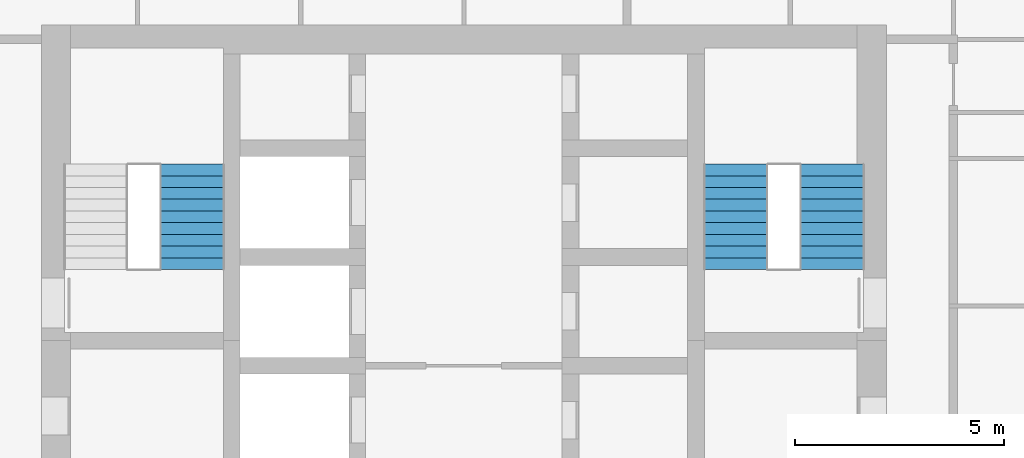
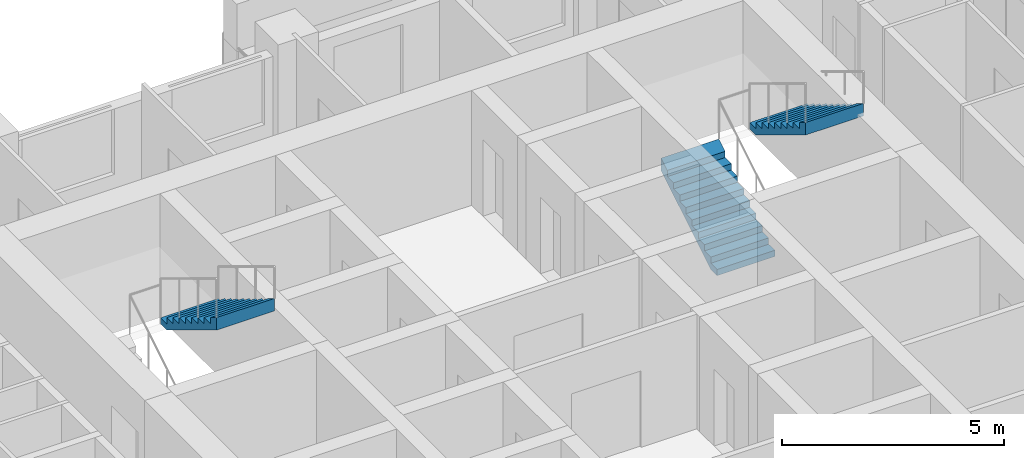
# One storey, part 16 of 19: 3 stair flights, 2 elements without a shape of their own.
"""IFC4 building model written with IfcOpenShell, lengths in metres."""

from ifc_helpers import new_model, si_unit, direction, frame, origin, place, context, subcontext, project, spatial, triangles, material, type_object, element, aggregate, save


model = new_model("IFC4")

# Units and contexts
model_context = context("Model", 3, precision=1e-05, world=origin(), true_north=direction((0.0, 1.0)))
body_context = subcontext(model_context, "Body", "Model", "MODEL_VIEW")
ifc_project = project(units=[si_unit("LENGTHUNIT", "METRE"), si_unit("AREAUNIT", "SQUARE_METRE"), si_unit("VOLUMEUNIT", "CUBIC_METRE"), si_unit("PLANEANGLEUNIT", "RADIAN"), si_unit("MASSUNIT", "GRAM", prefix="KILO")], contexts=[model_context])

# Site, building, storey
site_placement = place(None, origin())
site = spatial("IfcSite", under=ifc_project, at=site_placement, CompositionType="ELEMENT")
building_placement = place(site_placement, origin())
building = spatial("IfcBuilding", under=site, at=building_placement, Name="Ludao Terraces", CompositionType="ELEMENT")
storey_placement = place(building_placement, frame((0.0, 0.0, 36.5)))
storey = spatial("IfcBuildingStorey", under=building, at=storey_placement, Name="L09", CompositionType="ELEMENT", Elevation=36.5)

# Stair, stair flight
ifc_material = material(Name="Concrete C40", Category="concrete")
stair_type = type_object("IfcStairType", Name="INT Stair", PredefinedType="HALF_TURN_STAIR", material=ifc_material)
stair_1_placement = place(storey_placement, origin())
stair_1 = element("IfcStair", 1, at=stair_1_placement, inside=storey, type_object=stair_type, Name="EXIT STAIR 1", PredefinedType="HALF_TURN_STAIR")
stair_flight_type = type_object("IfcStairFlightType", Name="INT Stair flight", PredefinedType="STRAIGHT", material=ifc_material)
stair_flight_1_placement = place(storey_placement, frame((78.5, 81.52001953125, 1.699951171875), z_axis=(0.0, 0.0, 1.0), x_axis=(0.0, -1.0, 0.0)))
stair_flight_1 = element("IfcStairFlight", 2, at=stair_flight_1_placement, type_object=stair_flight_type, Name="ST1 flight 2", NumberOfRisers=10, NumberOfTreads=9, PredefinedType="STRAIGHT", RiserHeight=0.17, TreadLength=0.28, context=body_context, shape_type="Tessellation", body=[
    triangles([(0.0, -0.75, 0.0), (0.0, -0.5, 0.0), (0.0, -0.25, 0.0), (0.0, 0.0, 0.0), (0.0, 0.25, 0.0), (0.0, 0.5, 0.0), (0.0, 0.75, 0.0), (0.0, -0.75, 0.169921875), (0.0, -0.5, 0.169921875), (0.0, -0.25, 0.169921875), (0.0, 0.0, 0.169921875), (0.0, 0.25, 0.169921875), (0.0, 0.5, 0.169921875), (0.0, 0.75, 0.169921875), (0.280029296875, -0.75, 0.169921875), (0.280029296875, -0.5, 0.169921875), (0.280029296875, -0.25, 0.169921875), (0.280029296875, 0.0, 0.169921875), (0.280029296875, 0.25, 0.169921875), (0.280029296875, 0.5, 0.169921875), (0.280029296875, 0.75, 0.169921875), (0.280029296875, -0.75, 0.340087890625), (0.280029296875, -0.5, 0.340087890625), (0.280029296875, -0.25, 0.340087890625), (0.280029296875, 0.0, 0.340087890625), (0.280029296875, 0.25, 0.340087890625), (0.280029296875, 0.5, 0.340087890625), (0.280029296875, 0.75, 0.340087890625), (0.56005859375, -0.75, 0.340087890625), (0.56005859375, -0.5, 0.340087890625), (0.56005859375, -0.25, 0.340087890625), (0.56005859375, 0.0, 0.340087890625), (0.56005859375, 0.25, 0.340087890625), (0.56005859375, 0.5, 0.340087890625), (0.56005859375, 0.75, 0.340087890625), (0.56005859375, -0.75, 0.510009765625), (0.56005859375, -0.5, 0.510009765625), (0.56005859375, -0.25, 0.510009765625), (0.56005859375, 0.0, 0.510009765625), (0.56005859375, 0.25, 0.510009765625), (0.56005859375, 0.5, 0.510009765625), (0.56005859375, 0.75, 0.510009765625), (0.840087890625, -0.75, 0.510009765625), (0.840087890625, -0.5, 0.510009765625), (0.840087890625, -0.25, 0.510009765625), (0.840087890625, 0.0, 0.510009765625), (0.840087890625, 0.25, 0.510009765625), (0.840087890625, 0.5, 0.510009765625), (0.840087890625, 0.75, 0.510009765625), (0.840087890625, -0.75, 0.679931640625), (0.840087890625, -0.5, 0.679931640625), (0.840087890625, -0.25, 0.679931640625), (0.840087890625, 0.0, 0.679931640625), (0.840087890625, 0.25, 0.679931640625), (0.840087890625, 0.5, 0.679931640625), (0.840087890625, 0.75, 0.679931640625), (1.1201171875, -0.75, 0.679931640625), (1.1201171875, -0.5, 0.679931640625), (1.1201171875, -0.25, 0.679931640625), (1.1201171875, 0.0, 0.679931640625), (1.1201171875, 0.25, 0.679931640625), (1.1201171875, 0.5, 0.679931640625), (1.1201171875, 0.75, 0.679931640625), (1.1201171875, -0.75, 0.85009765625), (1.1201171875, -0.5, 0.85009765625), (1.1201171875, -0.25, 0.85009765625), (1.1201171875, 0.0, 0.85009765625), (1.1201171875, 0.25, 0.85009765625), (1.1201171875, 0.5, 0.85009765625), (1.1201171875, 0.75, 0.85009765625), (1.39990234375, -0.75, 0.85009765625), (1.39990234375, -0.5, 0.85009765625), (1.39990234375, -0.25, 0.85009765625), (1.39990234375, 0.0, 0.85009765625), (1.39990234375, 0.25, 0.85009765625), (1.39990234375, 0.5, 0.85009765625), (1.39990234375, 0.75, 0.85009765625), (1.39990234375, -0.75, 1.02001953125), (1.39990234375, -0.5, 1.02001953125), (1.39990234375, -0.25, 1.02001953125), (1.39990234375, 0.0, 1.02001953125), (1.39990234375, 0.25, 1.02001953125), (1.39990234375, 0.5, 1.02001953125), (1.39990234375, 0.75, 1.02001953125), (1.679931640625, -0.75, 1.02001953125), (1.679931640625, -0.5, 1.02001953125), (1.679931640625, -0.25, 1.02001953125), (1.679931640625, 0.0, 1.02001953125), (1.679931640625, 0.25, 1.02001953125), (1.679931640625, 0.5, 1.02001953125), (1.679931640625, 0.75, 1.02001953125), (1.679931640625, -0.75, 1.18994140625), (1.679931640625, -0.5, 1.18994140625), (1.679931640625, -0.25, 1.18994140625), (1.679931640625, 0.0, 1.18994140625), (1.679931640625, 0.25, 1.18994140625), (1.679931640625, 0.5, 1.18994140625), (1.679931640625, 0.75, 1.18994140625), (1.9599609375, -0.75, 1.18994140625), (1.9599609375, -0.5, 1.18994140625), (1.9599609375, -0.25, 1.18994140625), (1.9599609375, 0.0, 1.18994140625), (1.9599609375, 0.25, 1.18994140625), (1.9599609375, 0.5, 1.18994140625), (1.9599609375, 0.75, 1.18994140625), (1.9599609375, -0.75, 1.360107421875), (1.9599609375, -0.5, 1.360107421875), (1.9599609375, -0.25, 1.360107421875), (1.9599609375, 0.0, 1.360107421875), (1.9599609375, 0.25, 1.360107421875), (1.9599609375, 0.5, 1.360107421875), (1.9599609375, 0.75, 1.360107421875), (2.239990234375, -0.75, 1.360107421875), (2.239990234375, -0.5, 1.360107421875), (2.239990234375, -0.25, 1.360107421875), (2.239990234375, 0.0, 1.360107421875), (2.239990234375, 0.25, 1.360107421875), (2.239990234375, 0.5, 1.360107421875), (2.239990234375, 0.75, 1.360107421875), (2.239990234375, -0.75, 1.530029296875), (2.239990234375, -0.5, 1.530029296875), (2.239990234375, -0.25, 1.530029296875), (2.239990234375, 0.0, 1.530029296875), (2.239990234375, 0.25, 1.530029296875), (2.239990234375, 0.5, 1.530029296875), (2.239990234375, 0.75, 1.530029296875), (2.52001953125, -0.75, 1.699951171875), (2.52001953125, -0.5, 1.699951171875), (2.52001953125, -0.25, 1.699951171875), (2.52001953125, 0.0, 1.699951171875), (2.52001953125, 0.25, 1.699951171875), (2.52001953125, 0.5, 1.699951171875), (2.52001953125, 0.75, 1.699951171875), (2.52001953125, -0.75, 1.354736328125), (2.52001953125, -0.5, 1.354736328125), (2.52001953125, -0.25, 1.354736328125), (2.52001953125, 0.0, 1.354736328125), (2.52001953125, 0.25, 1.354736328125), (2.52001953125, 0.5, 1.354736328125), (2.52001953125, 0.75, 1.354736328125), (0.288818359375, -0.75, 0.0), (0.288818359375, -0.5, 0.0), (0.288818359375, -0.25, 0.0), (0.288818359375, 0.0, 0.0), (0.288818359375, 0.25, 0.0), (0.288818359375, 0.5, 0.0), (0.288818359375, 0.75, 0.0)], [[1, 141, 134], [7, 140, 147], [134, 127, 120], [140, 126, 133], [134, 120, 113], [140, 119, 126], [134, 113, 106], [140, 112, 119], [134, 106, 99], [140, 105, 112], [99, 92, 85], [105, 91, 98], [134, 99, 85], [140, 91, 105], [85, 78, 71], [91, 77, 84], [134, 85, 71], [140, 77, 91], [71, 64, 57], [77, 63, 70], [134, 71, 57], [140, 63, 77], [57, 50, 43], [63, 49, 56], [134, 57, 43], [140, 49, 63], [43, 36, 29], [49, 35, 42], [134, 43, 29], [140, 35, 49], [29, 22, 15], [35, 21, 28], [134, 29, 15], [140, 21, 35], [1, 134, 15], [7, 21, 140], [15, 8, 1], [21, 7, 14], [1, 9, 2], [1, 8, 9], [2, 10, 3], [2, 9, 10], [3, 11, 4], [3, 10, 11], [4, 12, 5], [4, 11, 12], [5, 13, 6], [5, 12, 13], [6, 14, 7], [6, 13, 14], [8, 16, 9], [8, 15, 16], [9, 17, 10], [9, 16, 17], [10, 18, 11], [10, 17, 18], [11, 19, 12], [11, 18, 19], [12, 20, 13], [12, 19, 20], [13, 21, 14], [13, 20, 21], [15, 23, 16], [15, 22, 23], [16, 24, 17], [16, 23, 24], [17, 25, 18], [17, 24, 25], [18, 26, 19], [18, 25, 26], [19, 27, 20], [19, 26, 27], [20, 28, 21], [20, 27, 28], [22, 30, 23], [22, 29, 30], [23, 31, 24], [23, 30, 31], [24, 32, 25], [24, 31, 32], [25, 33, 26], [25, 32, 33], [26, 34, 27], [26, 33, 34], [27, 35, 28], [27, 34, 35], [29, 37, 30], [29, 36, 37], [30, 38, 31], [30, 37, 38], [31, 39, 32], [31, 38, 39], [32, 40, 33], [32, 39, 40], [33, 41, 34], [33, 40, 41], [34, 42, 35], [34, 41, 42], [36, 44, 37], [36, 43, 44], [37, 45, 38], [37, 44, 45], [38, 46, 39], [38, 45, 46], [39, 47, 40], [39, 46, 47], [40, 48, 41], [40, 47, 48], [41, 49, 42], [41, 48, 49], [43, 51, 44], [43, 50, 51], [44, 52, 45], [44, 51, 52], [45, 53, 46], [45, 52, 53], [46, 54, 47], [46, 53, 54], [47, 55, 48], [47, 54, 55], [48, 56, 49], [48, 55, 56], [50, 58, 51], [50, 57, 58], [51, 59, 52], [51, 58, 59], [52, 60, 53], [52, 59, 60], [53, 61, 54], [53, 60, 61], [54, 62, 55], [54, 61, 62], [55, 63, 56], [55, 62, 63], [57, 65, 58], [57, 64, 65], [58, 66, 59], [58, 65, 66], [59, 67, 60], [59, 66, 67], [60, 68, 61], [60, 67, 68], [61, 69, 62], [61, 68, 69], [62, 70, 63], [62, 69, 70], [64, 72, 65], [64, 71, 72], [65, 73, 66], [65, 72, 73], [66, 74, 67], [66, 73, 74], [67, 75, 68], [67, 74, 75], [68, 76, 69], [68, 75, 76], [69, 77, 70], [69, 76, 77], [71, 79, 72], [71, 78, 79], [72, 80, 73], [72, 79, 80], [73, 81, 74], [73, 80, 81], [74, 82, 75], [74, 81, 82], [75, 83, 76], [75, 82, 83], [76, 84, 77], [76, 83, 84], [78, 86, 79], [78, 85, 86], [79, 87, 80], [79, 86, 87], [80, 88, 81], [80, 87, 88], [81, 89, 82], [81, 88, 89], [82, 90, 83], [82, 89, 90], [83, 91, 84], [83, 90, 91], [85, 93, 86], [85, 92, 93], [86, 94, 87], [86, 93, 94], [87, 95, 88], [87, 94, 95], [88, 96, 89], [88, 95, 96], [89, 97, 90], [89, 96, 97], [90, 98, 91], [90, 97, 98], [92, 100, 93], [92, 99, 100], [93, 101, 94], [93, 100, 101], [94, 102, 95], [94, 101, 102], [95, 103, 96], [95, 102, 103], [96, 104, 97], [96, 103, 104], [97, 105, 98], [97, 104, 105], [99, 107, 100], [99, 106, 107], [100, 108, 101], [100, 107, 108], [101, 109, 102], [101, 108, 109], [102, 110, 103], [102, 109, 110], [103, 111, 104], [103, 110, 111], [104, 112, 105], [104, 111, 112], [106, 114, 107], [106, 113, 114], [107, 115, 108], [107, 114, 115], [108, 116, 109], [108, 115, 116], [109, 117, 110], [109, 116, 117], [110, 118, 111], [110, 117, 118], [111, 119, 112], [111, 118, 119], [113, 121, 114], [113, 120, 121], [114, 122, 115], [114, 121, 122], [115, 123, 116], [115, 122, 123], [116, 124, 117], [116, 123, 124], [117, 125, 118], [117, 124, 125], [118, 126, 119], [118, 125, 126], [120, 128, 121], [120, 127, 128], [121, 129, 122], [121, 128, 129], [122, 130, 123], [122, 129, 130], [123, 131, 124], [123, 130, 131], [124, 132, 125], [124, 131, 132], [125, 133, 126], [125, 132, 133], [127, 135, 128], [127, 134, 135], [128, 136, 129], [128, 135, 136], [129, 137, 130], [129, 136, 137], [130, 138, 131], [130, 137, 138], [131, 139, 132], [131, 138, 139], [132, 140, 133], [132, 139, 140], [134, 142, 135], [134, 141, 142], [135, 143, 136], [135, 142, 143], [136, 144, 137], [136, 143, 144], [137, 145, 138], [137, 144, 145], [138, 146, 139], [138, 145, 146], [139, 147, 140], [139, 146, 147], [141, 2, 142], [141, 1, 2], [142, 3, 143], [142, 2, 3], [143, 4, 144], [143, 3, 4], [144, 5, 145], [144, 4, 5], [145, 6, 146], [145, 5, 6], [146, 7, 147], [146, 6, 7]], closed=True),
])
aggregate(stair_1, [stair_flight_1])

# Stair, stair flights
stair_2_placement = place(storey_placement, origin())
stair_2 = element("IfcStair", 3, at=stair_2_placement, inside=storey, type_object=stair_type, Name="EXIT STAIR 2", PredefinedType="HALF_TURN_STAIR")
stair_flight_2_placement = place(storey_placement, frame((91.5, 79.0, 0.0), z_axis=(0.0, 0.0, 1.0), x_axis=(0.0, 1.0, 0.0)))
stair_flight_2 = element("IfcStairFlight", 4, at=stair_flight_2_placement, type_object=stair_flight_type, Name="ST2 flight 1", NumberOfRisers=10, NumberOfTreads=9, PredefinedType="STRAIGHT", RiserHeight=0.17, TreadLength=0.28, context=body_context, shape_type="Tessellation", body=[
    triangles([(0.0, -0.75, 0.0), (0.0, -0.5, 0.0), (0.0, -0.25, 0.0), (0.0, 0.0, 0.0), (0.0, 0.25, 0.0), (0.0, 0.5, 0.0), (0.0, 0.75, 0.0), (0.0, -0.75, 0.169921875), (0.0, -0.5, 0.169921875), (0.0, -0.25, 0.169921875), (0.0, 0.0, 0.169921875), (0.0, 0.25, 0.169921875), (0.0, 0.5, 0.169921875), (0.0, 0.75, 0.169921875), (0.280029296875, -0.75, 0.169921875), (0.280029296875, -0.5, 0.169921875), (0.280029296875, -0.25, 0.169921875), (0.280029296875, 0.0, 0.169921875), (0.280029296875, 0.25, 0.169921875), (0.280029296875, 0.5, 0.169921875), (0.280029296875, 0.75, 0.169921875), (0.280029296875, -0.75, 0.340087890625), (0.280029296875, -0.5, 0.340087890625), (0.280029296875, -0.25, 0.340087890625), (0.280029296875, 0.0, 0.340087890625), (0.280029296875, 0.25, 0.340087890625), (0.280029296875, 0.5, 0.340087890625), (0.280029296875, 0.75, 0.340087890625), (0.56005859375, -0.75, 0.340087890625), (0.56005859375, -0.5, 0.340087890625), (0.56005859375, -0.25, 0.340087890625), (0.56005859375, 0.0, 0.340087890625), (0.56005859375, 0.25, 0.340087890625), (0.56005859375, 0.5, 0.340087890625), (0.56005859375, 0.75, 0.340087890625), (0.56005859375, -0.75, 0.510009765625), (0.56005859375, -0.5, 0.510009765625), (0.56005859375, -0.25, 0.510009765625), (0.56005859375, 0.0, 0.510009765625), (0.56005859375, 0.25, 0.510009765625), (0.56005859375, 0.5, 0.510009765625), (0.56005859375, 0.75, 0.510009765625), (0.840087890625, -0.75, 0.510009765625), (0.840087890625, -0.5, 0.510009765625), (0.840087890625, -0.25, 0.510009765625), (0.840087890625, 0.0, 0.510009765625), (0.840087890625, 0.25, 0.510009765625), (0.840087890625, 0.5, 0.510009765625), (0.840087890625, 0.75, 0.510009765625), (0.840087890625, -0.75, 0.679931640625), (0.840087890625, -0.5, 0.679931640625), (0.840087890625, -0.25, 0.679931640625), (0.840087890625, 0.0, 0.679931640625), (0.840087890625, 0.25, 0.679931640625), (0.840087890625, 0.5, 0.679931640625), (0.840087890625, 0.75, 0.679931640625), (1.1201171875, -0.75, 0.679931640625), (1.1201171875, -0.5, 0.679931640625), (1.1201171875, -0.25, 0.679931640625), (1.1201171875, 0.0, 0.679931640625), (1.1201171875, 0.25, 0.679931640625), (1.1201171875, 0.5, 0.679931640625), (1.1201171875, 0.75, 0.679931640625), (1.1201171875, -0.75, 0.85009765625), (1.1201171875, -0.5, 0.85009765625), (1.1201171875, -0.25, 0.85009765625), (1.1201171875, 0.0, 0.85009765625), (1.1201171875, 0.25, 0.85009765625), (1.1201171875, 0.5, 0.85009765625), (1.1201171875, 0.75, 0.85009765625), (1.39990234375, -0.75, 0.85009765625), (1.39990234375, -0.5, 0.85009765625), (1.39990234375, -0.25, 0.85009765625), (1.39990234375, 0.0, 0.85009765625), (1.39990234375, 0.25, 0.85009765625), (1.39990234375, 0.5, 0.85009765625), (1.39990234375, 0.75, 0.85009765625), (1.39990234375, -0.75, 1.02001953125), (1.39990234375, -0.5, 1.02001953125), (1.39990234375, -0.25, 1.02001953125), (1.39990234375, 0.0, 1.02001953125), (1.39990234375, 0.25, 1.02001953125), (1.39990234375, 0.5, 1.02001953125), (1.39990234375, 0.75, 1.02001953125), (1.679931640625, -0.75, 1.02001953125), (1.679931640625, -0.5, 1.02001953125), (1.679931640625, -0.25, 1.02001953125), (1.679931640625, 0.0, 1.02001953125), (1.679931640625, 0.25, 1.02001953125), (1.679931640625, 0.5, 1.02001953125), (1.679931640625, 0.75, 1.02001953125), (1.679931640625, -0.75, 1.18994140625), (1.679931640625, -0.5, 1.18994140625), (1.679931640625, -0.25, 1.18994140625), (1.679931640625, 0.0, 1.18994140625), (1.679931640625, 0.25, 1.18994140625), (1.679931640625, 0.5, 1.18994140625), (1.679931640625, 0.75, 1.18994140625), (1.9599609375, -0.75, 1.18994140625), (1.9599609375, -0.5, 1.18994140625), (1.9599609375, -0.25, 1.18994140625), (1.9599609375, 0.0, 1.18994140625), (1.9599609375, 0.25, 1.18994140625), (1.9599609375, 0.5, 1.18994140625), (1.9599609375, 0.75, 1.18994140625), (1.9599609375, -0.75, 1.360107421875), (1.9599609375, -0.5, 1.360107421875), (1.9599609375, -0.25, 1.360107421875), (1.9599609375, 0.0, 1.360107421875), (1.9599609375, 0.25, 1.360107421875), (1.9599609375, 0.5, 1.360107421875), (1.9599609375, 0.75, 1.360107421875), (2.239990234375, -0.75, 1.360107421875), (2.239990234375, -0.5, 1.360107421875), (2.239990234375, -0.25, 1.360107421875), (2.239990234375, 0.0, 1.360107421875), (2.239990234375, 0.25, 1.360107421875), (2.239990234375, 0.5, 1.360107421875), (2.239990234375, 0.75, 1.360107421875), (2.239990234375, -0.75, 1.530029296875), (2.239990234375, -0.5, 1.530029296875), (2.239990234375, -0.25, 1.530029296875), (2.239990234375, 0.0, 1.530029296875), (2.239990234375, 0.25, 1.530029296875), (2.239990234375, 0.5, 1.530029296875), (2.239990234375, 0.75, 1.530029296875), (2.52001953125, -0.75, 1.699951171875), (2.52001953125, -0.5, 1.699951171875), (2.52001953125, -0.25, 1.699951171875), (2.52001953125, 0.0, 1.699951171875), (2.52001953125, 0.25, 1.699951171875), (2.52001953125, 0.5, 1.699951171875), (2.52001953125, 0.75, 1.699951171875), (2.52001953125, -0.75, 1.354736328125), (2.52001953125, -0.5, 1.354736328125), (2.52001953125, -0.25, 1.354736328125), (2.52001953125, 0.0, 1.354736328125), (2.52001953125, 0.25, 1.354736328125), (2.52001953125, 0.5, 1.354736328125), (2.52001953125, 0.75, 1.354736328125), (0.288818359375, -0.75, 0.0), (0.288818359375, -0.5, 0.0), (0.288818359375, -0.25, 0.0), (0.288818359375, 0.0, 0.0), (0.288818359375, 0.25, 0.0), (0.288818359375, 0.5, 0.0), (0.288818359375, 0.75, 0.0)], [[1, 141, 134], [7, 140, 147], [134, 127, 120], [140, 126, 133], [134, 120, 113], [140, 119, 126], [134, 113, 106], [140, 112, 119], [134, 106, 99], [140, 105, 112], [99, 92, 85], [105, 91, 98], [134, 99, 85], [140, 91, 105], [85, 78, 71], [91, 77, 84], [134, 85, 71], [140, 77, 91], [71, 64, 57], [77, 63, 70], [134, 71, 57], [140, 63, 77], [57, 50, 43], [63, 49, 56], [134, 57, 43], [140, 49, 63], [43, 36, 29], [49, 35, 42], [134, 43, 29], [140, 35, 49], [29, 22, 15], [35, 21, 28], [134, 29, 15], [140, 21, 35], [1, 134, 15], [7, 21, 140], [15, 8, 1], [21, 7, 14], [1, 9, 2], [1, 8, 9], [2, 10, 3], [2, 9, 10], [3, 11, 4], [3, 10, 11], [4, 12, 5], [4, 11, 12], [5, 13, 6], [5, 12, 13], [6, 14, 7], [6, 13, 14], [8, 16, 9], [8, 15, 16], [9, 17, 10], [9, 16, 17], [10, 18, 11], [10, 17, 18], [11, 19, 12], [11, 18, 19], [12, 20, 13], [12, 19, 20], [13, 21, 14], [13, 20, 21], [15, 23, 16], [15, 22, 23], [16, 24, 17], [16, 23, 24], [17, 25, 18], [17, 24, 25], [18, 26, 19], [18, 25, 26], [19, 27, 20], [19, 26, 27], [20, 28, 21], [20, 27, 28], [22, 30, 23], [22, 29, 30], [23, 31, 24], [23, 30, 31], [24, 32, 25], [24, 31, 32], [25, 33, 26], [25, 32, 33], [26, 34, 27], [26, 33, 34], [27, 35, 28], [27, 34, 35], [29, 37, 30], [29, 36, 37], [30, 38, 31], [30, 37, 38], [31, 39, 32], [31, 38, 39], [32, 40, 33], [32, 39, 40], [33, 41, 34], [33, 40, 41], [34, 42, 35], [34, 41, 42], [36, 44, 37], [36, 43, 44], [37, 45, 38], [37, 44, 45], [38, 46, 39], [38, 45, 46], [39, 47, 40], [39, 46, 47], [40, 48, 41], [40, 47, 48], [41, 49, 42], [41, 48, 49], [43, 51, 44], [43, 50, 51], [44, 52, 45], [44, 51, 52], [45, 53, 46], [45, 52, 53], [46, 54, 47], [46, 53, 54], [47, 55, 48], [47, 54, 55], [48, 56, 49], [48, 55, 56], [50, 58, 51], [50, 57, 58], [51, 59, 52], [51, 58, 59], [52, 60, 53], [52, 59, 60], [53, 61, 54], [53, 60, 61], [54, 62, 55], [54, 61, 62], [55, 63, 56], [55, 62, 63], [57, 65, 58], [57, 64, 65], [58, 66, 59], [58, 65, 66], [59, 67, 60], [59, 66, 67], [60, 68, 61], [60, 67, 68], [61, 69, 62], [61, 68, 69], [62, 70, 63], [62, 69, 70], [64, 72, 65], [64, 71, 72], [65, 73, 66], [65, 72, 73], [66, 74, 67], [66, 73, 74], [67, 75, 68], [67, 74, 75], [68, 76, 69], [68, 75, 76], [69, 77, 70], [69, 76, 77], [71, 79, 72], [71, 78, 79], [72, 80, 73], [72, 79, 80], [73, 81, 74], [73, 80, 81], [74, 82, 75], [74, 81, 82], [75, 83, 76], [75, 82, 83], [76, 84, 77], [76, 83, 84], [78, 86, 79], [78, 85, 86], [79, 87, 80], [79, 86, 87], [80, 88, 81], [80, 87, 88], [81, 89, 82], [81, 88, 89], [82, 90, 83], [82, 89, 90], [83, 91, 84], [83, 90, 91], [85, 93, 86], [85, 92, 93], [86, 94, 87], [86, 93, 94], [87, 95, 88], [87, 94, 95], [88, 96, 89], [88, 95, 96], [89, 97, 90], [89, 96, 97], [90, 98, 91], [90, 97, 98], [92, 100, 93], [92, 99, 100], [93, 101, 94], [93, 100, 101], [94, 102, 95], [94, 101, 102], [95, 103, 96], [95, 102, 103], [96, 104, 97], [96, 103, 104], [97, 105, 98], [97, 104, 105], [99, 107, 100], [99, 106, 107], [100, 108, 101], [100, 107, 108], [101, 109, 102], [101, 108, 109], [102, 110, 103], [102, 109, 110], [103, 111, 104], [103, 110, 111], [104, 112, 105], [104, 111, 112], [106, 114, 107], [106, 113, 114], [107, 115, 108], [107, 114, 115], [108, 116, 109], [108, 115, 116], [109, 117, 110], [109, 116, 117], [110, 118, 111], [110, 117, 118], [111, 119, 112], [111, 118, 119], [113, 121, 114], [113, 120, 121], [114, 122, 115], [114, 121, 122], [115, 123, 116], [115, 122, 123], [116, 124, 117], [116, 123, 124], [117, 125, 118], [117, 124, 125], [118, 126, 119], [118, 125, 126], [120, 128, 121], [120, 127, 128], [121, 129, 122], [121, 128, 129], [122, 130, 123], [122, 129, 130], [123, 131, 124], [123, 130, 131], [124, 132, 125], [124, 131, 132], [125, 133, 126], [125, 132, 133], [127, 135, 128], [127, 134, 135], [128, 136, 129], [128, 135, 136], [129, 137, 130], [129, 136, 137], [130, 138, 131], [130, 137, 138], [131, 139, 132], [131, 138, 139], [132, 140, 133], [132, 139, 140], [134, 142, 135], [134, 141, 142], [135, 143, 136], [135, 142, 143], [136, 144, 137], [136, 143, 144], [137, 145, 138], [137, 144, 145], [138, 146, 139], [138, 145, 146], [139, 147, 140], [139, 146, 147], [141, 2, 142], [141, 1, 2], [142, 3, 143], [142, 2, 3], [143, 4, 144], [143, 3, 4], [144, 5, 145], [144, 4, 5], [145, 6, 146], [145, 5, 6], [146, 7, 147], [146, 6, 7]], closed=True),
])
stair_flight_3_placement = place(storey_placement, frame((93.800048828125, 81.52001953125, 1.699951171875), z_axis=(0.0, 0.0, 1.0), x_axis=(0.0, -1.0, 0.0)))
stair_flight_3 = element("IfcStairFlight", 5, at=stair_flight_3_placement, type_object=stair_flight_type, Name="ST2 flight 2", NumberOfRisers=10, NumberOfTreads=9, PredefinedType="STRAIGHT", RiserHeight=0.17, TreadLength=0.28, context=body_context, shape_type="Tessellation", body=[
    triangles([(0.0, -0.75, 0.0), (0.0, -0.5, 0.0), (0.0, -0.25, 0.0), (0.0, 0.0, 0.0), (0.0, 0.25, 0.0), (0.0, 0.5, 0.0), (0.0, 0.75, 0.0), (0.0, -0.75, 0.169921875), (0.0, -0.5, 0.169921875), (0.0, -0.25, 0.169921875), (0.0, 0.0, 0.169921875), (0.0, 0.25, 0.169921875), (0.0, 0.5, 0.169921875), (0.0, 0.75, 0.169921875), (0.280029296875, -0.75, 0.169921875), (0.280029296875, -0.5, 0.169921875), (0.280029296875, -0.25, 0.169921875), (0.280029296875, 0.0, 0.169921875), (0.280029296875, 0.25, 0.169921875), (0.280029296875, 0.5, 0.169921875), (0.280029296875, 0.75, 0.169921875), (0.280029296875, -0.75, 0.340087890625), (0.280029296875, -0.5, 0.340087890625), (0.280029296875, -0.25, 0.340087890625), (0.280029296875, 0.0, 0.340087890625), (0.280029296875, 0.25, 0.340087890625), (0.280029296875, 0.5, 0.340087890625), (0.280029296875, 0.75, 0.340087890625), (0.56005859375, -0.75, 0.340087890625), (0.56005859375, -0.5, 0.340087890625), (0.56005859375, -0.25, 0.340087890625), (0.56005859375, 0.0, 0.340087890625), (0.56005859375, 0.25, 0.340087890625), (0.56005859375, 0.5, 0.340087890625), (0.56005859375, 0.75, 0.340087890625), (0.56005859375, -0.75, 0.510009765625), (0.56005859375, -0.5, 0.510009765625), (0.56005859375, -0.25, 0.510009765625), (0.56005859375, 0.0, 0.510009765625), (0.56005859375, 0.25, 0.510009765625), (0.56005859375, 0.5, 0.510009765625), (0.56005859375, 0.75, 0.510009765625), (0.840087890625, -0.75, 0.510009765625), (0.840087890625, -0.5, 0.510009765625), (0.840087890625, -0.25, 0.510009765625), (0.840087890625, 0.0, 0.510009765625), (0.840087890625, 0.25, 0.510009765625), (0.840087890625, 0.5, 0.510009765625), (0.840087890625, 0.75, 0.510009765625), (0.840087890625, -0.75, 0.679931640625), (0.840087890625, -0.5, 0.679931640625), (0.840087890625, -0.25, 0.679931640625), (0.840087890625, 0.0, 0.679931640625), (0.840087890625, 0.25, 0.679931640625), (0.840087890625, 0.5, 0.679931640625), (0.840087890625, 0.75, 0.679931640625), (1.1201171875, -0.75, 0.679931640625), (1.1201171875, -0.5, 0.679931640625), (1.1201171875, -0.25, 0.679931640625), (1.1201171875, 0.0, 0.679931640625), (1.1201171875, 0.25, 0.679931640625), (1.1201171875, 0.5, 0.679931640625), (1.1201171875, 0.75, 0.679931640625), (1.1201171875, -0.75, 0.85009765625), (1.1201171875, -0.5, 0.85009765625), (1.1201171875, -0.25, 0.85009765625), (1.1201171875, 0.0, 0.85009765625), (1.1201171875, 0.25, 0.85009765625), (1.1201171875, 0.5, 0.85009765625), (1.1201171875, 0.75, 0.85009765625), (1.39990234375, -0.75, 0.85009765625), (1.39990234375, -0.5, 0.85009765625), (1.39990234375, -0.25, 0.85009765625), (1.39990234375, 0.0, 0.85009765625), (1.39990234375, 0.25, 0.85009765625), (1.39990234375, 0.5, 0.85009765625), (1.39990234375, 0.75, 0.85009765625), (1.39990234375, -0.75, 1.02001953125), (1.39990234375, -0.5, 1.02001953125), (1.39990234375, -0.25, 1.02001953125), (1.39990234375, 0.0, 1.02001953125), (1.39990234375, 0.25, 1.02001953125), (1.39990234375, 0.5, 1.02001953125), (1.39990234375, 0.75, 1.02001953125), (1.679931640625, -0.75, 1.02001953125), (1.679931640625, -0.5, 1.02001953125), (1.679931640625, -0.25, 1.02001953125), (1.679931640625, 0.0, 1.02001953125), (1.679931640625, 0.25, 1.02001953125), (1.679931640625, 0.5, 1.02001953125), (1.679931640625, 0.75, 1.02001953125), (1.679931640625, -0.75, 1.18994140625), (1.679931640625, -0.5, 1.18994140625), (1.679931640625, -0.25, 1.18994140625), (1.679931640625, 0.0, 1.18994140625), (1.679931640625, 0.25, 1.18994140625), (1.679931640625, 0.5, 1.18994140625), (1.679931640625, 0.75, 1.18994140625), (1.9599609375, -0.75, 1.18994140625), (1.9599609375, -0.5, 1.18994140625), (1.9599609375, -0.25, 1.18994140625), (1.9599609375, 0.0, 1.18994140625), (1.9599609375, 0.25, 1.18994140625), (1.9599609375, 0.5, 1.18994140625), (1.9599609375, 0.75, 1.18994140625), (1.9599609375, -0.75, 1.360107421875), (1.9599609375, -0.5, 1.360107421875), (1.9599609375, -0.25, 1.360107421875), (1.9599609375, 0.0, 1.360107421875), (1.9599609375, 0.25, 1.360107421875), (1.9599609375, 0.5, 1.360107421875), (1.9599609375, 0.75, 1.360107421875), (2.239990234375, -0.75, 1.360107421875), (2.239990234375, -0.5, 1.360107421875), (2.239990234375, -0.25, 1.360107421875), (2.239990234375, 0.0, 1.360107421875), (2.239990234375, 0.25, 1.360107421875), (2.239990234375, 0.5, 1.360107421875), (2.239990234375, 0.75, 1.360107421875), (2.239990234375, -0.75, 1.530029296875), (2.239990234375, -0.5, 1.530029296875), (2.239990234375, -0.25, 1.530029296875), (2.239990234375, 0.0, 1.530029296875), (2.239990234375, 0.25, 1.530029296875), (2.239990234375, 0.5, 1.530029296875), (2.239990234375, 0.75, 1.530029296875), (2.52001953125, -0.75, 1.699951171875), (2.52001953125, -0.5, 1.699951171875), (2.52001953125, -0.25, 1.699951171875), (2.52001953125, 0.0, 1.699951171875), (2.52001953125, 0.25, 1.699951171875), (2.52001953125, 0.5, 1.699951171875), (2.52001953125, 0.75, 1.699951171875), (2.52001953125, -0.75, 1.354736328125), (2.52001953125, -0.5, 1.354736328125), (2.52001953125, -0.25, 1.354736328125), (2.52001953125, 0.0, 1.354736328125), (2.52001953125, 0.25, 1.354736328125), (2.52001953125, 0.5, 1.354736328125), (2.52001953125, 0.75, 1.354736328125), (0.288818359375, -0.75, 0.0), (0.288818359375, -0.5, 0.0), (0.288818359375, -0.25, 0.0), (0.288818359375, 0.0, 0.0), (0.288818359375, 0.25, 0.0), (0.288818359375, 0.5, 0.0), (0.288818359375, 0.75, 0.0)], [[1, 141, 134], [7, 140, 147], [134, 127, 120], [140, 126, 133], [134, 120, 113], [140, 119, 126], [134, 113, 106], [140, 112, 119], [134, 106, 99], [140, 105, 112], [99, 92, 85], [105, 91, 98], [134, 99, 85], [140, 91, 105], [85, 78, 71], [91, 77, 84], [134, 85, 71], [140, 77, 91], [71, 64, 57], [77, 63, 70], [134, 71, 57], [140, 63, 77], [57, 50, 43], [63, 49, 56], [134, 57, 43], [140, 49, 63], [43, 36, 29], [49, 35, 42], [134, 43, 29], [140, 35, 49], [29, 22, 15], [35, 21, 28], [134, 29, 15], [140, 21, 35], [1, 134, 15], [7, 21, 140], [15, 8, 1], [21, 7, 14], [1, 9, 2], [1, 8, 9], [2, 10, 3], [2, 9, 10], [3, 11, 4], [3, 10, 11], [4, 12, 5], [4, 11, 12], [5, 13, 6], [5, 12, 13], [6, 14, 7], [6, 13, 14], [8, 16, 9], [8, 15, 16], [9, 17, 10], [9, 16, 17], [10, 18, 11], [10, 17, 18], [11, 19, 12], [11, 18, 19], [12, 20, 13], [12, 19, 20], [13, 21, 14], [13, 20, 21], [15, 23, 16], [15, 22, 23], [16, 24, 17], [16, 23, 24], [17, 25, 18], [17, 24, 25], [18, 26, 19], [18, 25, 26], [19, 27, 20], [19, 26, 27], [20, 28, 21], [20, 27, 28], [22, 30, 23], [22, 29, 30], [23, 31, 24], [23, 30, 31], [24, 32, 25], [24, 31, 32], [25, 33, 26], [25, 32, 33], [26, 34, 27], [26, 33, 34], [27, 35, 28], [27, 34, 35], [29, 37, 30], [29, 36, 37], [30, 38, 31], [30, 37, 38], [31, 39, 32], [31, 38, 39], [32, 40, 33], [32, 39, 40], [33, 41, 34], [33, 40, 41], [34, 42, 35], [34, 41, 42], [36, 44, 37], [36, 43, 44], [37, 45, 38], [37, 44, 45], [38, 46, 39], [38, 45, 46], [39, 47, 40], [39, 46, 47], [40, 48, 41], [40, 47, 48], [41, 49, 42], [41, 48, 49], [43, 51, 44], [43, 50, 51], [44, 52, 45], [44, 51, 52], [45, 53, 46], [45, 52, 53], [46, 54, 47], [46, 53, 54], [47, 55, 48], [47, 54, 55], [48, 56, 49], [48, 55, 56], [50, 58, 51], [50, 57, 58], [51, 59, 52], [51, 58, 59], [52, 60, 53], [52, 59, 60], [53, 61, 54], [53, 60, 61], [54, 62, 55], [54, 61, 62], [55, 63, 56], [55, 62, 63], [57, 65, 58], [57, 64, 65], [58, 66, 59], [58, 65, 66], [59, 67, 60], [59, 66, 67], [60, 68, 61], [60, 67, 68], [61, 69, 62], [61, 68, 69], [62, 70, 63], [62, 69, 70], [64, 72, 65], [64, 71, 72], [65, 73, 66], [65, 72, 73], [66, 74, 67], [66, 73, 74], [67, 75, 68], [67, 74, 75], [68, 76, 69], [68, 75, 76], [69, 77, 70], [69, 76, 77], [71, 79, 72], [71, 78, 79], [72, 80, 73], [72, 79, 80], [73, 81, 74], [73, 80, 81], [74, 82, 75], [74, 81, 82], [75, 83, 76], [75, 82, 83], [76, 84, 77], [76, 83, 84], [78, 86, 79], [78, 85, 86], [79, 87, 80], [79, 86, 87], [80, 88, 81], [80, 87, 88], [81, 89, 82], [81, 88, 89], [82, 90, 83], [82, 89, 90], [83, 91, 84], [83, 90, 91], [85, 93, 86], [85, 92, 93], [86, 94, 87], [86, 93, 94], [87, 95, 88], [87, 94, 95], [88, 96, 89], [88, 95, 96], [89, 97, 90], [89, 96, 97], [90, 98, 91], [90, 97, 98], [92, 100, 93], [92, 99, 100], [93, 101, 94], [93, 100, 101], [94, 102, 95], [94, 101, 102], [95, 103, 96], [95, 102, 103], [96, 104, 97], [96, 103, 104], [97, 105, 98], [97, 104, 105], [99, 107, 100], [99, 106, 107], [100, 108, 101], [100, 107, 108], [101, 109, 102], [101, 108, 109], [102, 110, 103], [102, 109, 110], [103, 111, 104], [103, 110, 111], [104, 112, 105], [104, 111, 112], [106, 114, 107], [106, 113, 114], [107, 115, 108], [107, 114, 115], [108, 116, 109], [108, 115, 116], [109, 117, 110], [109, 116, 117], [110, 118, 111], [110, 117, 118], [111, 119, 112], [111, 118, 119], [113, 121, 114], [113, 120, 121], [114, 122, 115], [114, 121, 122], [115, 123, 116], [115, 122, 123], [116, 124, 117], [116, 123, 124], [117, 125, 118], [117, 124, 125], [118, 126, 119], [118, 125, 126], [120, 128, 121], [120, 127, 128], [121, 129, 122], [121, 128, 129], [122, 130, 123], [122, 129, 130], [123, 131, 124], [123, 130, 131], [124, 132, 125], [124, 131, 132], [125, 133, 126], [125, 132, 133], [127, 135, 128], [127, 134, 135], [128, 136, 129], [128, 135, 136], [129, 137, 130], [129, 136, 137], [130, 138, 131], [130, 137, 138], [131, 139, 132], [131, 138, 139], [132, 140, 133], [132, 139, 140], [134, 142, 135], [134, 141, 142], [135, 143, 136], [135, 142, 143], [136, 144, 137], [136, 143, 144], [137, 145, 138], [137, 144, 145], [138, 146, 139], [138, 145, 146], [139, 147, 140], [139, 146, 147], [141, 2, 142], [141, 1, 2], [142, 3, 143], [142, 2, 3], [143, 4, 144], [143, 3, 4], [144, 5, 145], [144, 4, 5], [145, 6, 146], [145, 5, 6], [146, 7, 147], [146, 6, 7]], closed=True),
])
aggregate(stair_2, [stair_flight_2, stair_flight_3])

save(model, "model.ifc")
